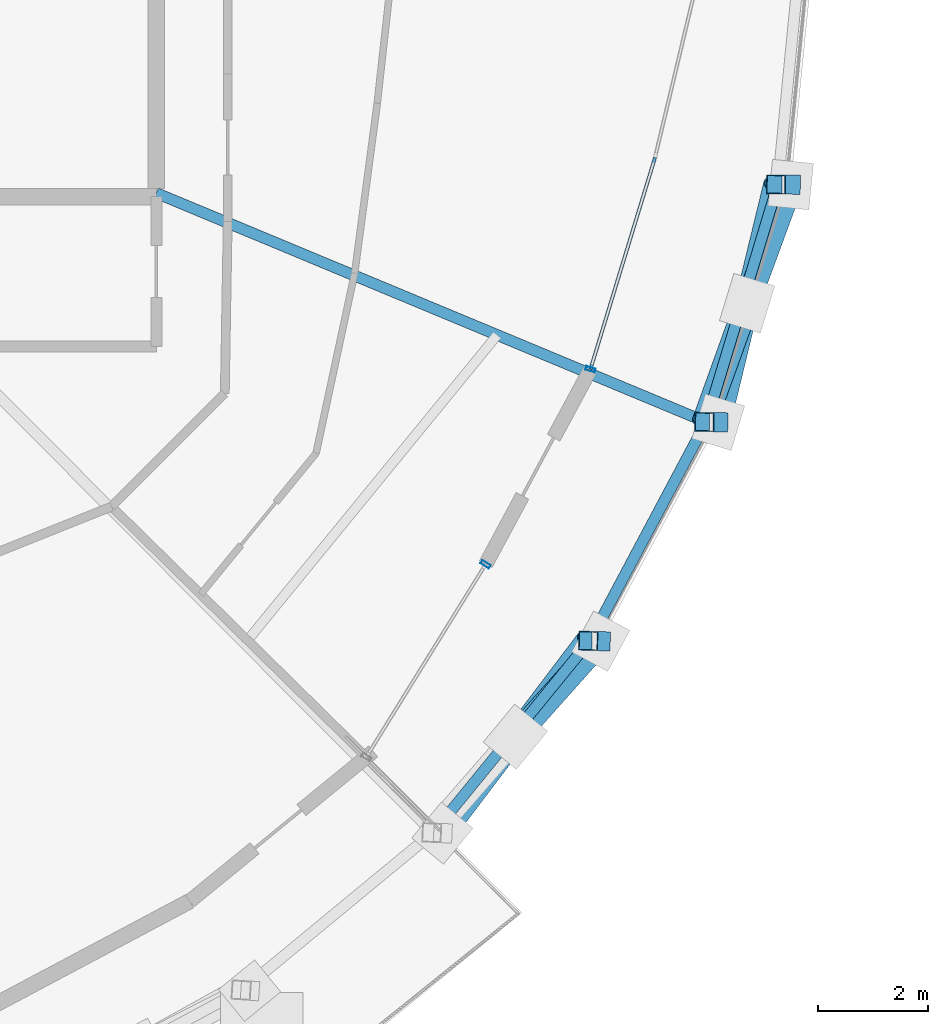
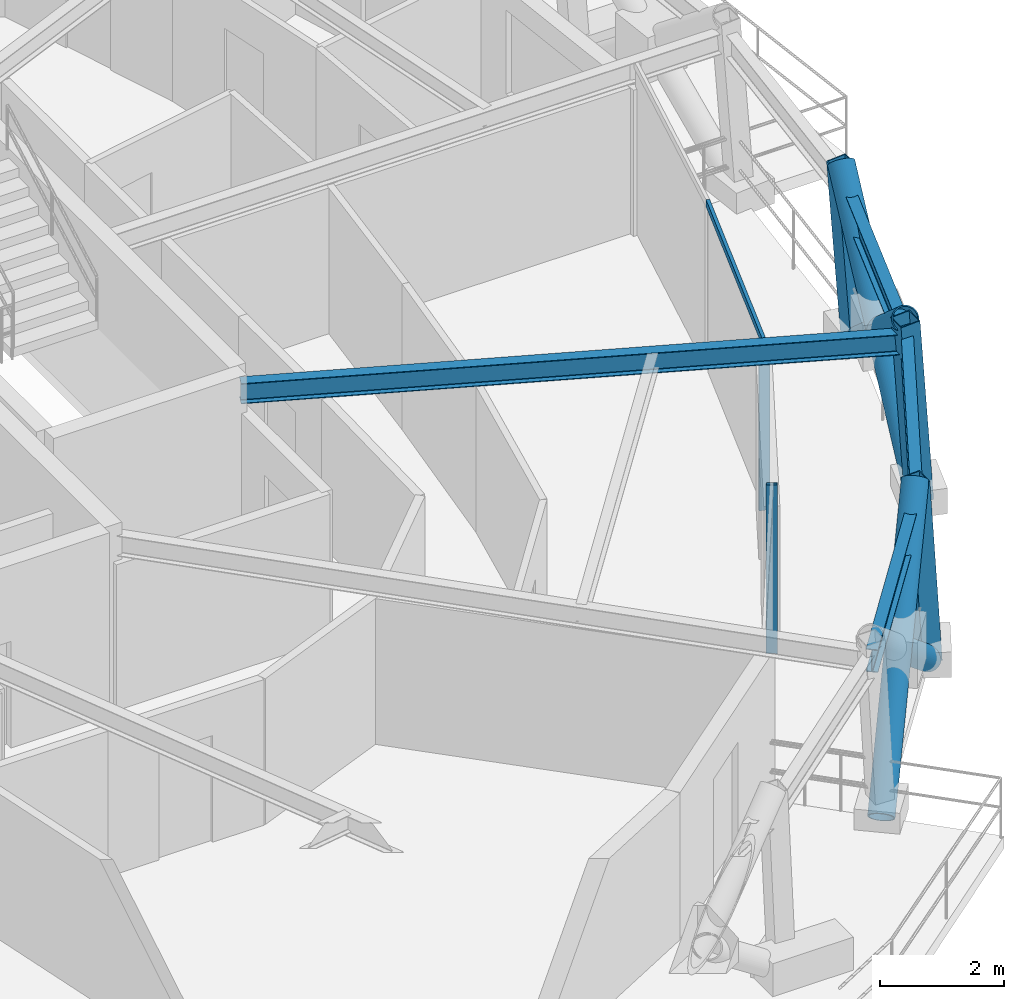
# One storey, part 3 of 12: 11 members, 4 beams, 2 elements without a shape of their own.
"""IFC4 building model written with IfcOpenShell, lengths in metres."""

from ifc_helpers import new_model, si_unit, direction, frame, origin, origin_2d, place, context, subcontext, project, spatial, hollow_rectangle, hollow_circle, i_section, extrude, material, layer, layer_set, material_profile, profile_set, type_object, element, aggregate, save


model = new_model("IFC4")

# Units and contexts
model_context = context("Model", 3, precision=1e-05, world=origin(), true_north=direction((0.0, 1.0)))
body_context = subcontext(model_context, "Body", "Model", "MODEL_VIEW")
ifc_project = project(units=[si_unit("LENGTHUNIT", "METRE"), si_unit("AREAUNIT", "SQUARE_METRE"), si_unit("VOLUMEUNIT", "CUBIC_METRE"), si_unit("PLANEANGLEUNIT", "RADIAN"), si_unit("MASSUNIT", "GRAM", prefix="KILO")], contexts=[model_context])

# Site, building, storey
site_placement = place(None, origin())
site = spatial("IfcSite", under=ifc_project, at=site_placement, CompositionType="ELEMENT")
building_placement = place(site_placement, origin())
building = spatial("IfcBuilding", under=site, at=building_placement, Name="Veldorina Hangang Commons", CompositionType="ELEMENT")
storey_placement = place(building_placement, frame((0.0, 0.0, 247.199951171875)))
storey = spatial("IfcBuildingStorey", under=building, at=storey_placement, Name="L64", CompositionType="ELEMENT", Elevation=247.199951171875)

# Beams
ifc_material_1 = material(Name="Steel SM355-TMC", Category="steel")
ifc_material_profile_1 = material_profile(ifc_material_1, i_section(OverallWidth=0.199951171875, OverallDepth=0.39990234375, WebThickness=0.008056640625, FlangeThickness=0.012939453125, FilletRadius=0.012939453125, at=origin_2d()), Name="H-400x200x8x13")
ifc_profile_set_1 = profile_set([ifc_material_profile_1], Name="Steel SM355-TMC")
beam_type_1 = type_object("IfcBeamType", Name="BM-FG400", PredefinedType="BEAM", material=ifc_profile_set_1)
beam_1_placement = place(storey_placement, frame((43.179931640625, 19.34521484375, 3.16015625), z_axis=(0.923174774432, -0.384380457167, 0.0), x_axis=(0.384380457167, 0.923174774432, 0.0)))
element("IfcBeam", 1, at=beam_1_placement, inside=storey, type_object=beam_type_1, Name="L64 radial floor girder 16", PredefinedType="BEAM", context=body_context, shape_type="SweptSolid", body=[
    extrude(i_section(OverallWidth=0.199951171875, OverallDepth=0.39990234375, WebThickness=0.008056640625, FlangeThickness=0.012939453125, FilletRadius=0.012939453125, at=origin_2d()), origin(), (0.0, 0.0, 1.0), 10.847900390625),
])
ifc_material_profile_2 = material_profile(ifc_material_1, i_section(OverallWidth=0.199951171875, OverallDepth=0.449951171875, WebThickness=0.009033203125, FlangeThickness=0.013916015625, FilletRadius=0.01611328125, at=origin_2d()), Name="H-450x200x9x14")
ifc_profile_set_2 = profile_set([ifc_material_profile_2], Name="Steel SM355-TMC")
beam_type_2 = type_object("IfcBeamType", Name="BM-RB450", PredefinedType="BEAM", material=ifc_profile_set_2)
beam_2_placement = place(storey_placement, frame((48.221435546875, 7.694580078125, 3.135009765625), z_axis=(0.632438790729, 0.774610338158, 0.0), x_axis=(-0.774610338158, 0.632438790729, 0.0)))
element("IfcBeam", 2, at=beam_2_placement, inside=storey, type_object=beam_type_2, Name="L64 perimeter hoop ring beam 28", PredefinedType="BEAM", context=body_context, shape_type="SweptSolid", body=[
    extrude(i_section(OverallWidth=0.199951171875, OverallDepth=0.449951171875, WebThickness=0.009033203125, FlangeThickness=0.013916015625, FilletRadius=0.01611328125, at=origin_2d()), origin(), (0.0, 0.0, 1.0), 4.51123046875),
])
beam_3_placement = place(storey_placement, frame((51.074462890625, 11.18896484375, 3.135009765625), z_axis=(0.469501773774, 0.882931528729, 0.0), x_axis=(-0.882931528729, 0.469501773774, 0.0)))
element("IfcBeam", 3, at=beam_3_placement, inside=storey, type_object=beam_type_2, Name="L64 perimeter hoop ring beam 29", PredefinedType="BEAM", context=body_context, shape_type="SweptSolid", body=[
    extrude(i_section(OverallWidth=0.199951171875, OverallDepth=0.449951171875, WebThickness=0.009033203125, FlangeThickness=0.013916015625, FilletRadius=0.01611328125, at=origin_2d()), origin(), (0.0, 0.0, 1.0), 4.51513671875),
])
beam_4_placement = place(storey_placement, frame((53.1943359375, 15.175537109375, 3.135009765625), z_axis=(0.288948534971, 0.957344631853, 0.0), x_axis=(-0.957344631853, 0.288948534971, 0.0)))
element("IfcBeam", 4, at=beam_4_placement, inside=storey, type_object=beam_type_2, Name="L64 perimeter hoop ring beam 30", PredefinedType="BEAM", context=body_context, shape_type="SweptSolid", body=[
    extrude(i_section(OverallWidth=0.199951171875, OverallDepth=0.449951171875, WebThickness=0.009033203125, FlangeThickness=0.013916015625, FilletRadius=0.01611328125, at=origin_2d()), origin(), (0.0, 0.0, 1.0), 4.5185546875),
])

# Curtain wall, member
ifc_material_2 = material(Name="Glass Low-E Selective", Category="glass")
ifc_layer = layer(ifc_material_2, 0.179931640625)
ifc_layer_set = layer_set([ifc_layer], Name="Glass Low-E Selective")
curtain_wall_type = type_object("IfcCurtainWallType", Name="CW-SYS-Z3", PredefinedType="NOTDEFINED", material=ifc_layer_set)
curtain_wall_1_placement = place(storey_placement, origin())
curtain_wall_1 = element("IfcCurtainWall", 5, at=curtain_wall_1_placement, inside=storey, type_object=curtain_wall_type, Name="L64 unitised curtain wall CW-L64-R1", PredefinedType="NOTDEFINED")
ifc_material_3 = material(Name="Aluminium Anodized AA6063-T6", Category="aluminium")
ifc_material_profile_3 = material_profile(ifc_material_3, hollow_rectangle(XDim=0.070068359375, YDim=0.179931640625, WallThickness=0.00390625, at=origin_2d()), Name="ALU-RHS-180x70x4")
ifc_profile_set_3 = profile_set([ifc_material_profile_3], Name="Aluminium Anodized AA6063-T6")
member_type_1 = type_object("IfcMemberType", Name="CW-MUL-180", PredefinedType="MULLION", material=ifc_profile_set_3)
member_1_placement = place(storey_placement, frame((49.177978515625, 12.583251953125, 0.0), z_axis=(0.0, 0.0, 1.0), x_axis=(-0.526436527308, -0.850214433373, 0.0)))
member_1 = element("IfcMember", 6, at=member_1_placement, type_object=member_type_1, Name="CW-L64-R1 vertical mullion 2", PredefinedType="MULLION", context=body_context, shape_type="SweptSolid", body=[
    extrude(hollow_rectangle(XDim=0.070068359375, YDim=0.179931640625, WallThickness=0.00390625, at=origin_2d()), origin(), (0.0, 0.0, 1.0), 3.320068359375),
])
aggregate(curtain_wall_1, [member_1])

# Curtain wall, members
curtain_wall_2_placement = place(storey_placement, origin())
curtain_wall_2 = element("IfcCurtainWall", 7, at=curtain_wall_2_placement, inside=storey, type_object=curtain_wall_type, Name="L64 unitised curtain wall CW-L64-R2", PredefinedType="NOTDEFINED")
member_2_placement = place(storey_placement, frame((51.087158203125, 16.135986328125, 0.0), z_axis=(0.0, 0.0, 1.0), x_axis=(0.291687312593, 0.956513727906, 0.0)))
member_2 = element("IfcMember", 8, at=member_2_placement, type_object=member_type_1, Name="CW-L64-R2 vertical mullion 1", PredefinedType="MULLION", context=body_context, shape_type="SweptSolid", body=[
    extrude(hollow_rectangle(XDim=0.070068359375, YDim=0.179931640625, WallThickness=0.00390625, at=origin_2d()), origin(), (0.0, 0.0, 1.0), 3.320068359375),
])
ifc_material_profile_4 = material_profile(ifc_material_3, hollow_rectangle(XDim=0.06005859375, YDim=0.139892578125, WallThickness=0.00341796875, at=origin_2d()), Name="ALU-RHS-140x60x3.5")
ifc_profile_set_4 = profile_set([ifc_material_profile_4], Name="Aluminium Anodized AA6063-T6")
member_type_2 = type_object("IfcMemberType", Name="CW-TRN-140", PredefinedType="USERDEFINED", material=ifc_profile_set_4)
member_3_placement = place(storey_placement, frame((51.087158203125, 16.135986328125, 3.280029296875), z_axis=(0.291679834108, 0.956516008426, 0.0), x_axis=(-0.956516008426, 0.291679834108, 0.0)))
member_3 = element("IfcMember", 9, at=member_3_placement, type_object=member_type_2, Name="CW-L64-R2 facet 1 transom 1", ObjectType="TRANSOM", PredefinedType="USERDEFINED", context=body_context, shape_type="SweptSolid", body=[
    extrude(hollow_rectangle(XDim=0.06005859375, YDim=0.139892578125, WallThickness=0.00341796875, at=origin_2d()), origin(), (0.0, 0.0, 1.0), 4.0302734375),
])
aggregate(curtain_wall_2, [member_2, member_3])

# Members
ifc_material_profile_5 = material_profile(ifc_material_1, hollow_circle(Radius=0.22509765625, WallThickness=0.02197265625, at=origin_2d()), Name="CHS-450x22")
ifc_profile_set_5 = profile_set([ifc_material_profile_5], Name="Steel SM355-TMC")
member_type_3 = type_object("IfcMemberType", Name="DG-CHS450", PredefinedType="BRACE", material=ifc_profile_set_5)
member_4_placement = place(storey_placement, frame((48.390625, 7.687255859375, 0.0), z_axis=(0.467216001844, 0.61655150648, 0.63369823061), x_axis=(-0.797010303136, 0.603965708211, 0.0)))
element("IfcMember", 10, at=member_4_placement, inside=storey, type_object=member_type_3, Name="L64 continuous perimeter diagrid brace 28", PredefinedType="BRACE", context=body_context, shape_type="SweptSolid", body=[
    extrude(hollow_circle(Radius=0.22509765625, WallThickness=0.02197265625, at=origin_2d()), origin(), (0.0, 0.0, 1.0), 5.68115234375),
])
member_5_placement = place(storey_placement, frame((51.273193359375, 11.18310546875, 0.0), z_axis=(-0.526384510264, -0.590143527553, 0.61208656597), x_axis=(0.746270129656, -0.665643217935, 0.0)))
element("IfcMember", 11, at=member_5_placement, inside=storey, type_object=member_type_3, Name="L64 split perimeter diagrid lower brace 29", PredefinedType="BRACE", context=body_context, shape_type="SweptSolid", body=[
    extrude(hollow_circle(Radius=0.22509765625, WallThickness=0.02197265625, at=origin_2d()), origin(), (0.0, 0.0, 1.0), 2.948486328125),
])
member_6_placement = place(storey_placement, frame((53.415283203125, 15.171630859375, 0.0), z_axis=(0.18326929546, 0.755921912622, 0.628485821128), x_axis=(-0.97184554321, 0.23561884505, 0.0)))
element("IfcMember", 12, at=member_6_placement, inside=storey, type_object=member_type_3, Name="L64 continuous perimeter diagrid brace 30", PredefinedType="BRACE", context=body_context, shape_type="SweptSolid", body=[
    extrude(hollow_circle(Radius=0.22509765625, WallThickness=0.02197265625, at=origin_2d()), origin(), (0.0, 0.0, 1.0), 5.728271484375),
])
member_7_placement = place(storey_placement, frame((54.734375, 19.499267578125, 0.0), z_axis=(-0.271519023808, -0.739306797523, 0.616200356092), x_axis=(0.938695674247, -0.344746908832, 0.0)))
element("IfcMember", 13, at=member_7_placement, inside=storey, type_object=member_type_3, Name="L64 split perimeter diagrid lower brace 31", PredefinedType="BRACE", context=body_context, shape_type="SweptSolid", body=[
    extrude(hollow_circle(Radius=0.22509765625, WallThickness=0.02197265625, at=origin_2d()), origin(), (0.0, 0.0, 1.0), 2.923095703125),
])
member_8_placement = place(storey_placement, frame((53.940673828125, 17.338134765625, 1.80126953125), z_axis=(-0.266955989971, -0.740800780694, 0.616399791322), x_axis=(0.940779014247, -0.339020421735, 0.0)))
element("IfcMember", 14, at=member_8_placement, inside=storey, type_object=member_type_3, Name="L64 split perimeter diagrid upper brace 31", PredefinedType="BRACE", context=body_context, shape_type="SweptSolid", body=[
    extrude(hollow_circle(Radius=0.22509765625, WallThickness=0.02197265625, at=origin_2d()), origin(), (0.0, 0.0, 1.0), 2.918212890625),
])
ifc_material_profile_6 = material_profile(ifc_material_1, hollow_rectangle(XDim=0.35009765625, YDim=0.35009765625, WallThickness=0.01611328125, at=origin_2d()), Name="SHS-350x350x16")
ifc_profile_set_6 = profile_set([ifc_material_profile_6], Name="Steel SM355-TMC")
member_type_4 = type_object("IfcMemberType", Name="STR-SHS350", PredefinedType="STRUT", material=ifc_profile_set_6)
member_9_placement = place(storey_placement, frame((51.273193359375, 11.18310546875, 0.0), z_axis=(-0.063279832655, 0.001895011031, 0.997994023886), x_axis=(-0.029933105153, -0.999551904213, 0.0)))
element("IfcMember", 15, at=member_9_placement, inside=storey, type_object=member_type_4, Name="L64 perimeter ring node post 29", PredefinedType="STRUT", context=body_context, shape_type="SweptSolid", body=[
    extrude(hollow_rectangle(XDim=0.35009765625, YDim=0.35009765625, WallThickness=0.01611328125, at=origin_2d()), origin(), (0.0, 0.0, 1.0), 3.607421875),
])
member_10_placement = place(storey_placement, frame((53.415283203125, 15.171630859375, 0.0), z_axis=(-0.070285474531, 0.001285297417, 0.997526089925), x_axis=(-0.018283757387, -0.999832838136, 0.0)))
element("IfcMember", 16, at=member_10_placement, inside=storey, type_object=member_type_4, Name="L64 perimeter ring node post 30", PredefinedType="STRUT", context=body_context, shape_type="SweptSolid", body=[
    extrude(hollow_rectangle(XDim=0.35009765625, YDim=0.35009765625, WallThickness=0.01611328125, at=origin_2d()), origin(), (0.0, 0.0, 1.0), 3.609130859375),
])
member_11_placement = place(storey_placement, frame((54.734375, 19.499267578125, 0.0), z_axis=(-0.074591548664, 0.000676260641, 0.997213940707), x_axis=(-0.009065810559, -0.999958904695, 0.0)))
element("IfcMember", 17, at=member_11_placement, inside=storey, type_object=member_type_4, Name="L64 perimeter ring node post 31", PredefinedType="STRUT", context=body_context, shape_type="SweptSolid", body=[
    extrude(hollow_rectangle(XDim=0.35009765625, YDim=0.35009765625, WallThickness=0.01611328125, at=origin_2d()), origin(), (0.0, 0.0, 1.0), 3.610107421875),
])

save(model, "model.ifc")
